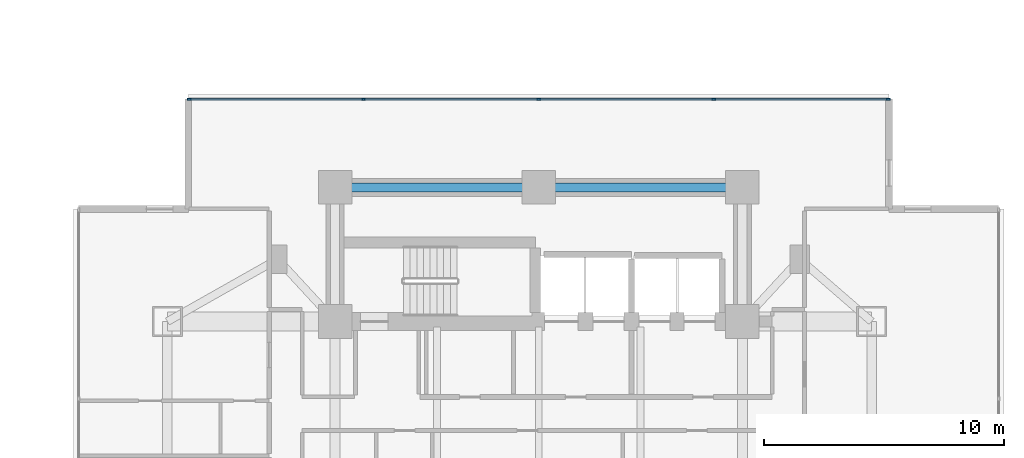
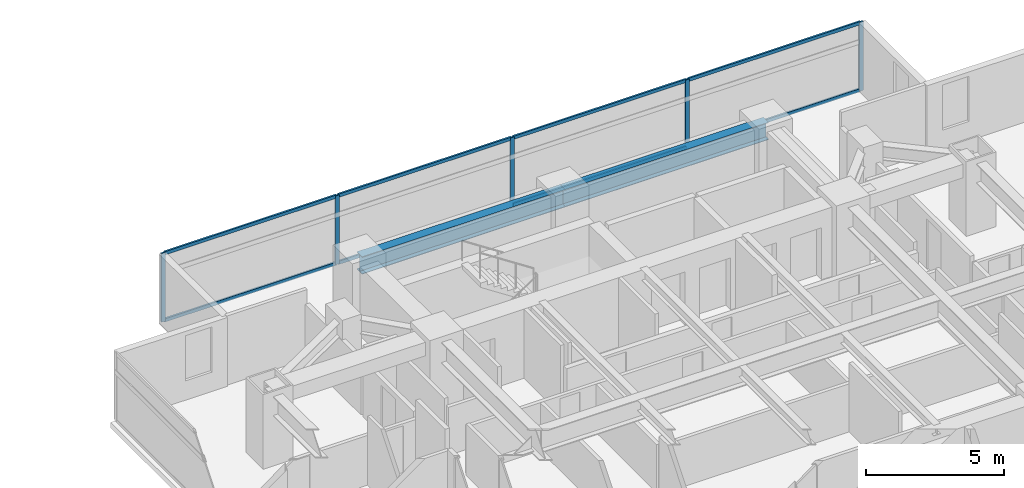
# One storey, part 12 of 27: 13 members, 2 beams, 1 element without a shape of its own.
"""IFC4 building model written with IfcOpenShell, lengths in metres."""

from ifc_helpers import new_model, si_unit, direction, frame, origin, origin_2d, place, context, subcontext, project, spatial, rectangle, i_section, extrude, material, material_profile, profile_set, type_object, element, aggregate, save


model = new_model("IFC4")

# Units and contexts
model_context = context("Model", 3, precision=1e-05, world=origin(), true_north=direction((0.0, 1.0)))
body_context = subcontext(model_context, "Body", "Model", "MODEL_VIEW")
ifc_project = project(units=[si_unit("LENGTHUNIT", "METRE"), si_unit("AREAUNIT", "SQUARE_METRE"), si_unit("VOLUMEUNIT", "CUBIC_METRE"), si_unit("PLANEANGLEUNIT", "RADIAN"), si_unit("MASSUNIT", "GRAM", prefix="KILO")], contexts=[model_context])

# Site, building, storey
site_placement = place(None, origin())
site = spatial("IfcSite", under=ifc_project, at=site_placement, CompositionType="ELEMENT")
building_placement = place(site_placement, origin())
building = spatial("IfcBuilding", under=site, at=building_placement, Name="Mirazonda Arch Towers", CompositionType="ELEMENT")
storey_placement = place(building_placement, frame((0.0, 0.0, 42.199951171875)))
storey = spatial("IfcBuildingStorey", under=building, at=storey_placement, Name="L11", CompositionType="ELEMENT", Elevation=42.199951171875)

# Beams
ifc_material_1 = material(Name="Steel ASTM A992 Grade 50", Category="steel")
ifc_material_profile_1 = material_profile(ifc_material_1, i_section(OverallWidth=0.381103515625, OverallDepth=0.77294921875, WebThickness=0.0166015625, FlangeThickness=0.027099609375, at=origin_2d()), Name="W30X173")
ifc_profile_set_1 = profile_set([ifc_material_profile_1], Name="Steel ASTM A992 Grade 50")
beam_type = type_object("IfcBeamType", Name="BM-INT-W30X173", PredefinedType="USERDEFINED", material=ifc_profile_set_1)
for number, where, z_axis, x_axis, name in (
    (1, (68.0, 40.800048828125, 2.673583984375), (1.0, 0.0, 0.0), (0.0, 1.0, 0.0), "L11 Floor Beam BM-T2-L11-CN1"),
    (2, (76.5, 40.800048828125, 2.673583984375), (1.0, 0.0, 0.0), (0.0, 1.0, 0.0), "L11 Floor Beam BM-T2-L11-CN2"),
):
    element("IfcBeam", number, at=place(storey_placement, frame(where, z_axis=z_axis, x_axis=x_axis)), inside=storey, type_object=beam_type, Name=name, ObjectType="GIRDER", PredefinedType="USERDEFINED", context=body_context, shape_type="SweptSolid", body=[
        extrude(i_section(OverallWidth=0.381103515625, OverallDepth=0.77294921875, WebThickness=0.0166015625, FlangeThickness=0.027099609375, at=origin_2d()), origin(), (0.0, 0.0, 1.0), 8.5),
    ])

# Curtain wall, members
ifc_material_2 = material(Name="Anodised Aluminium and Low-E Glass", Category="aluminium")
curtain_wall_type = type_object("IfcCurtainWallType", Name="CW-HTL-UNIT", PredefinedType="NOTDEFINED", material=ifc_material_2)
curtain_wall_placement = place(storey_placement, origin())
curtain_wall = element("IfcCurtainWall", 3, at=curtain_wall_placement, inside=storey, type_object=curtain_wall_type, Name="L11 T2 N Facade CW-L11-T2-N", PredefinedType="NOTDEFINED")
ifc_material_3 = material(Name="Anodised Aluminium Alloy", Category="aluminium")
ifc_material_profile_2 = material_profile(ifc_material_3, rectangle(XDim=0.074951171875, YDim=0.1650390625, at=origin_2d()), Name="ALU-MULL-75x165")
ifc_profile_set_2 = profile_set([ifc_material_profile_2], Name="Anodised Aluminium Alloy")
member_type_1 = type_object("IfcMemberType", Name="MULL-CW-HTL-UNIT", PredefinedType="MULLION", material=ifc_profile_set_2)
member_1_placement = place(storey_placement, frame((61.909423828125, 44.479736328125, 0.0), z_axis=(0.0, 0.0, 1.0), x_axis=(0.0, 1.0, 0.0)))
member_1 = element("IfcMember", 4, at=member_1_placement, type_object=member_type_1, Name="CW-112 mullion 1", PredefinedType="MULLION", context=body_context, shape_type="SweptSolid", body=[
    extrude(rectangle(XDim=0.074951171875, YDim=0.1650390625, at=origin_2d()), origin(), (0.0, 0.0, 1.0), 3.0400390625),
])
member_2_placement = place(storey_placement, frame((69.18603515625, 44.479736328125, 0.0), z_axis=(0.0, 0.0, 1.0), x_axis=(0.0, 1.0, 0.0)))
member_2 = element("IfcMember", 5, at=member_2_placement, type_object=member_type_1, Name="CW-112 mullion 2", PredefinedType="MULLION", context=body_context, shape_type="SweptSolid", body=[
    extrude(rectangle(XDim=0.074951171875, YDim=0.1650390625, at=origin_2d()), origin(), (0.0, 0.0, 1.0), 3.0400390625),
])
member_3_placement = place(storey_placement, frame((76.5, 44.479736328125, 0.0), z_axis=(0.0, 0.0, 1.0), x_axis=(0.0, 1.0, 0.0)))
member_3 = element("IfcMember", 6, at=member_3_placement, type_object=member_type_1, Name="CW-112 mullion 3", PredefinedType="MULLION", context=body_context, shape_type="SweptSolid", body=[
    extrude(rectangle(XDim=0.074951171875, YDim=0.1650390625, at=origin_2d()), origin(), (0.0, 0.0, 1.0), 3.0400390625),
])
member_4_placement = place(storey_placement, frame((83.81396484375, 44.479736328125, 0.0), z_axis=(0.0, 0.0, 1.0), x_axis=(0.0, 1.0, 0.0)))
member_4 = element("IfcMember", 7, at=member_4_placement, type_object=member_type_1, Name="CW-112 mullion 4", PredefinedType="MULLION", context=body_context, shape_type="SweptSolid", body=[
    extrude(rectangle(XDim=0.074951171875, YDim=0.1650390625, at=origin_2d()), origin(), (0.0, 0.0, 1.0), 3.0400390625),
])
member_5_placement = place(storey_placement, frame((91.090576171875, 44.479736328125, 0.0), z_axis=(0.0, 0.0, 1.0), x_axis=(0.0, 1.0, 0.0)))
member_5 = element("IfcMember", 8, at=member_5_placement, type_object=member_type_1, Name="CW-112 mullion 5", PredefinedType="MULLION", context=body_context, shape_type="SweptSolid", body=[
    extrude(rectangle(XDim=0.074951171875, YDim=0.1650390625, at=origin_2d()), origin(), (0.0, 0.0, 1.0), 3.0400390625),
])
ifc_material_profile_3 = material_profile(ifc_material_3, rectangle(XDim=0.074951171875, YDim=0.14501953125, at=origin_2d()), Name="ALU-TRAN-75x145")
ifc_profile_set_3 = profile_set([ifc_material_profile_3], Name="Anodised Aluminium Alloy")
member_type_2 = type_object("IfcMemberType", Name="TRAN-CW-HTL-UNIT", PredefinedType="USERDEFINED", material=ifc_profile_set_3)
member_6_placement = place(storey_placement, frame((61.947021484375, 44.479736328125, 0.03759765625), z_axis=(1.0, 0.0, 0.0), x_axis=(0.0, 1.0, 0.0)))
member_6 = element("IfcMember", 9, at=member_6_placement, type_object=member_type_2, Name="CW-112 transom 1.1", ObjectType="TRANSOM", PredefinedType="USERDEFINED", context=body_context, shape_type="SweptSolid", body=[
    extrude(rectangle(XDim=0.074951171875, YDim=0.14501953125, at=origin_2d()), origin(), (0.0, 0.0, 1.0), 7.201416015625),
])
member_7_placement = place(storey_placement, frame((61.947021484375, 44.479736328125, 3.00244140625), z_axis=(1.0, 0.0, 0.0), x_axis=(0.0, 1.0, 0.0)))
member_7 = element("IfcMember", 10, at=member_7_placement, type_object=member_type_2, Name="CW-112 transom 1.2", ObjectType="TRANSOM", PredefinedType="USERDEFINED", context=body_context, shape_type="SweptSolid", body=[
    extrude(rectangle(XDim=0.074951171875, YDim=0.14501953125, at=origin_2d()), origin(), (0.0, 0.0, 1.0), 7.201416015625),
])
member_8_placement = place(storey_placement, frame((69.223388671875, 44.479736328125, 0.03759765625), z_axis=(1.0, 0.0, 0.0), x_axis=(0.0, 1.0, 0.0)))
member_8 = element("IfcMember", 11, at=member_8_placement, type_object=member_type_2, Name="CW-112 transom 2.1", ObjectType="TRANSOM", PredefinedType="USERDEFINED", context=body_context, shape_type="SweptSolid", body=[
    extrude(rectangle(XDim=0.074951171875, YDim=0.14501953125, at=origin_2d()), origin(), (0.0, 0.0, 1.0), 7.239013671875),
])
member_9_placement = place(storey_placement, frame((69.223388671875, 44.479736328125, 3.00244140625), z_axis=(1.0, 0.0, 0.0), x_axis=(0.0, 1.0, 0.0)))
member_9 = element("IfcMember", 12, at=member_9_placement, type_object=member_type_2, Name="CW-112 transom 2.2", ObjectType="TRANSOM", PredefinedType="USERDEFINED", context=body_context, shape_type="SweptSolid", body=[
    extrude(rectangle(XDim=0.074951171875, YDim=0.14501953125, at=origin_2d()), origin(), (0.0, 0.0, 1.0), 7.239013671875),
])
member_10_placement = place(storey_placement, frame((76.53759765625, 44.479736328125, 0.03759765625), z_axis=(1.0, 0.0, 0.0), x_axis=(0.0, 1.0, 0.0)))
member_10 = element("IfcMember", 13, at=member_10_placement, type_object=member_type_2, Name="CW-112 transom 3.1", ObjectType="TRANSOM", PredefinedType="USERDEFINED", context=body_context, shape_type="SweptSolid", body=[
    extrude(rectangle(XDim=0.074951171875, YDim=0.14501953125, at=origin_2d()), origin(), (0.0, 0.0, 1.0), 7.239013671875),
])
member_11_placement = place(storey_placement, frame((76.53759765625, 44.479736328125, 3.00244140625), z_axis=(1.0, 0.0, 0.0), x_axis=(0.0, 1.0, 0.0)))
member_11 = element("IfcMember", 14, at=member_11_placement, type_object=member_type_2, Name="CW-112 transom 3.2", ObjectType="TRANSOM", PredefinedType="USERDEFINED", context=body_context, shape_type="SweptSolid", body=[
    extrude(rectangle(XDim=0.074951171875, YDim=0.14501953125, at=origin_2d()), origin(), (0.0, 0.0, 1.0), 7.239013671875),
])
member_12_placement = place(storey_placement, frame((83.8515625, 44.479736328125, 0.03759765625), z_axis=(1.0, 0.0, 0.0), x_axis=(0.0, 1.0, 0.0)))
member_12 = element("IfcMember", 15, at=member_12_placement, type_object=member_type_2, Name="CW-112 transom 4.1", ObjectType="TRANSOM", PredefinedType="USERDEFINED", context=body_context, shape_type="SweptSolid", body=[
    extrude(rectangle(XDim=0.074951171875, YDim=0.14501953125, at=origin_2d()), origin(), (0.0, 0.0, 1.0), 7.201416015625),
])
member_13_placement = place(storey_placement, frame((83.8515625, 44.479736328125, 3.00244140625), z_axis=(1.0, 0.0, 0.0), x_axis=(0.0, 1.0, 0.0)))
member_13 = element("IfcMember", 16, at=member_13_placement, type_object=member_type_2, Name="CW-112 transom 4.2", ObjectType="TRANSOM", PredefinedType="USERDEFINED", context=body_context, shape_type="SweptSolid", body=[
    extrude(rectangle(XDim=0.074951171875, YDim=0.14501953125, at=origin_2d()), origin(), (0.0, 0.0, 1.0), 7.201416015625),
])
aggregate(curtain_wall, [member_1, member_2, member_3, member_4, member_5, member_6, member_7, member_8, member_9, member_10, member_11, member_12, member_13])

save(model, "model.ifc")
